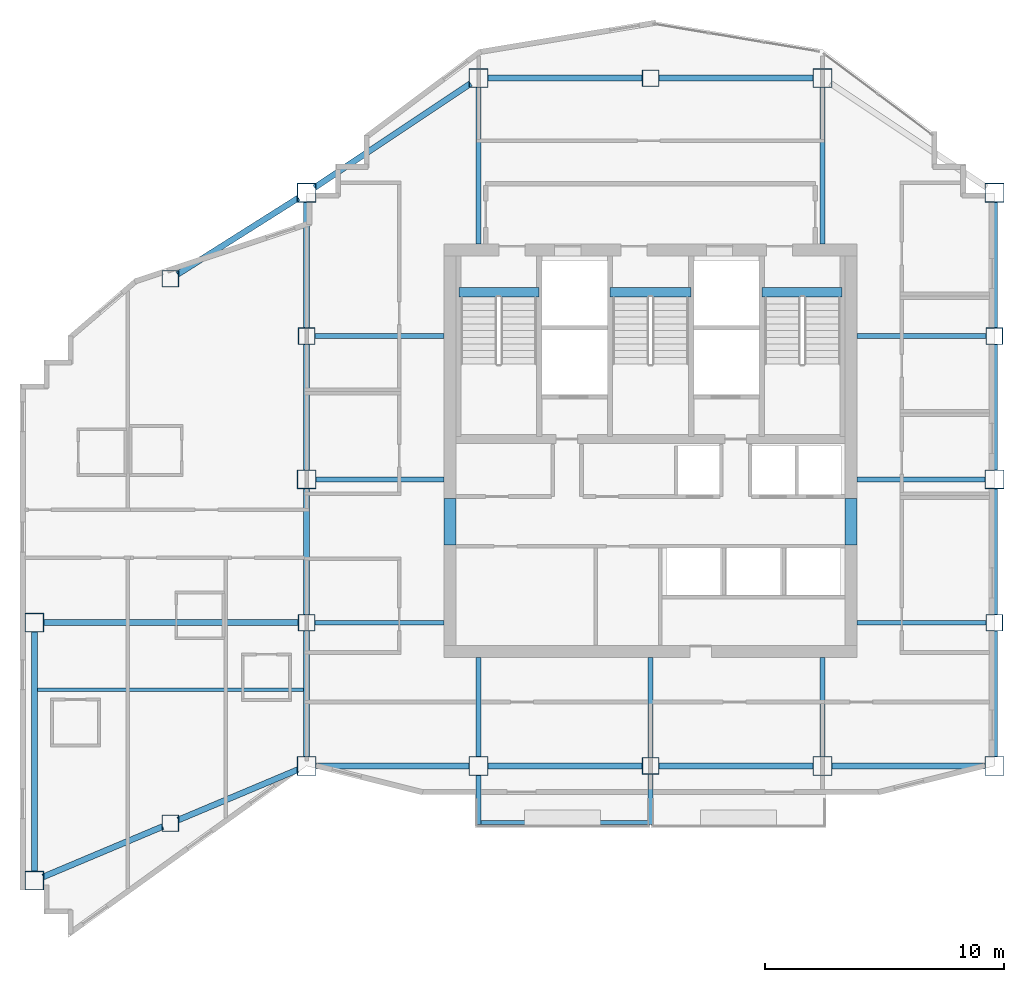
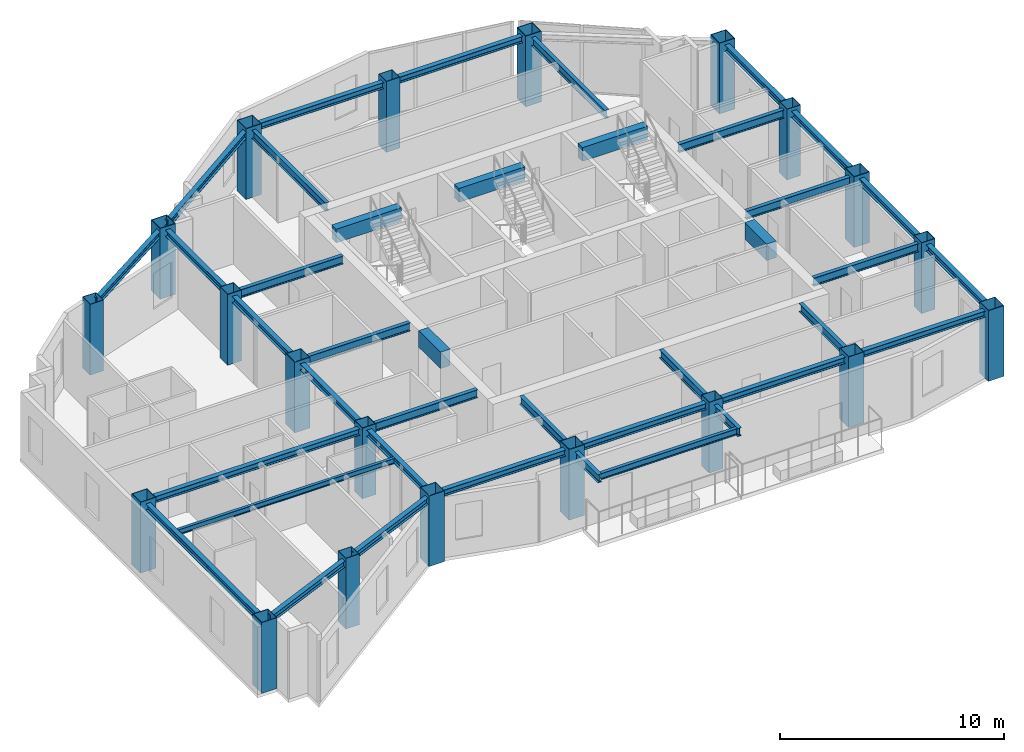
# One storey, part 1 of 9: 40 beams, 20 columns.
"""IFC4 building model written with IfcOpenShell, lengths in metres."""

from ifc_helpers import new_model, si_unit, direction, frame, origin, origin_2d, place, context, subcontext, project, spatial, rectangle, hollow_rectangle, i_section, extrude, material, material_profile, profile_set, type_object, element, save


model = new_model("IFC4")

# Units and contexts
model_context = context("Model", 3, precision=1e-05, world=origin(), true_north=direction((0.0, 1.0)))
body_context = subcontext(model_context, "Body", "Model", "MODEL_VIEW")
ifc_project = project(units=[si_unit("LENGTHUNIT", "METRE"), si_unit("AREAUNIT", "SQUARE_METRE"), si_unit("VOLUMEUNIT", "CUBIC_METRE"), si_unit("PLANEANGLEUNIT", "RADIAN"), si_unit("MASSUNIT", "GRAM", prefix="KILO")], contexts=[model_context])

# Site, building, storey
site_placement = place(None, origin())
site = spatial("IfcSite", under=ifc_project, at=site_placement, CompositionType="ELEMENT")
building_placement = place(site_placement, origin())
building = spatial("IfcBuilding", under=site, at=building_placement, Name="Haolan Belvedere Tower", CompositionType="ELEMENT")
storey_placement = place(building_placement, frame((0.0, 0.0, 262.14990234375)))
storey = spatial("IfcBuildingStorey", under=building, at=storey_placement, Name="L66", CompositionType="ELEMENT", Elevation=262.14990234375)

# Columns
ifc_material_1 = material(Name="Steel Q390GJC", Category="steel")
ifc_material_profile_1 = material_profile(ifc_material_1, hollow_rectangle(XDim=0.699951171875, YDim=0.699951171875, WallThickness=0.02587890625, at=origin_2d()), Name="Steel Q390GJC")
ifc_profile_set_1 = profile_set([ifc_material_profile_1], Name="Steel Q390GJC")
column_type_1 = type_object("IfcColumnType", Name="COL-BOX700x700x26", PredefinedType="COLUMN", material=ifc_profile_set_1)
for number, where, z_axis, x_axis, name in (
    (1, (24.0, 27.60009765625, 0.0), (0.0, 0.0, 1.0), (1.0, 0.0, 0.0), "L66 column TC-T3-W1 (BOX700x700x26)"),
    (2, (24.0, 39.60009765625, 0.0), (0.0, 0.0, 1.0), (1.0, 0.0, 0.0), "L66 column TC-T3-W2 (BOX700x700x26)"),
    (3, (52.800048828125, 27.60009765625, 0.0), (0.0, 0.0, 1.0), (1.0, 0.0, 0.0), "L66 column TC-T3-E1 (BOX700x700x26)"),
    (4, (52.800048828125, 39.60009765625, 0.0), (0.0, 0.0, 1.0), (1.0, 0.0, 0.0), "L66 column TC-T3-E2 (BOX700x700x26)"),
    (5, (38.39990234375, 21.60009765625, 0.0), (0.0, 0.0, 1.0), (1.0, 0.0, 0.0), "L66 column TC-T3-SM (BOX700x700x26)"),
    (6, (38.39990234375, 50.39990234375, 0.0), (0.0, 0.0, 1.0), (1.0, 0.0, 0.0), "L66 column TC-T3-NM (BOX700x700x26)"),
    (7, (18.300048828125, 19.199951171875, 0.0), (0.0, 0.0, 1.0), (1.0, 0.0, 0.0), "L66 column TC-T2-S1 (BOX700x700x26)"),
    (8, (18.300048828125, 42.0, 0.0), (0.0, 0.0, 1.0), (1.0, 0.0, 0.0), "L66 column TC-T2-N1 (BOX700x700x26)"),
):
    element("IfcColumn", number, at=place(storey_placement, frame(where, z_axis=z_axis, x_axis=x_axis)), inside=storey, type_object=column_type_1, Name=name, PredefinedType="COLUMN", context=body_context, shape_type="SweptSolid", body=[
        extrude(hollow_rectangle(XDim=0.699951171875, YDim=0.699951171875, WallThickness=0.02587890625, at=origin_2d()), origin(), (0.0, 0.0, 1.0), 3.85009765625),
    ])
ifc_material_profile_2 = material_profile(ifc_material_1, hollow_rectangle(XDim=0.800048828125, YDim=0.800048828125, WallThickness=0.030029296875, at=origin_2d()), Name="Steel Q390GJC")
ifc_profile_set_2 = profile_set([ifc_material_profile_2], Name="Steel Q390GJC")
column_type_2 = type_object("IfcColumnType", Name="COL-BOX800x800x30", PredefinedType="COLUMN", material=ifc_profile_set_2)
for number, where, z_axis, x_axis, name in (
    (9, (24.0, 21.60009765625, 0.0), (0.0, 0.0, 1.0), (1.0, 0.0, 0.0), "L66 column MC-T3-SW (BOX800x800x30)"),
    (10, (24.0, 33.60009765625, 0.0), (0.0, 0.0, 1.0), (1.0, 0.0, 0.0), "L66 column MC-T3-MW (BOX800x800x30)"),
    (11, (24.0, 45.60009765625, 0.0), (0.0, 0.0, 1.0), (1.0, 0.0, 0.0), "L66 column MC-T3-NW (BOX800x800x30)"),
    (12, (52.800048828125, 21.60009765625, 0.0), (0.0, 0.0, 1.0), (1.0, 0.0, 0.0), "L66 column MC-T3-SE (BOX800x800x30)"),
    (13, (52.800048828125, 33.60009765625, 0.0), (0.0, 0.0, 1.0), (1.0, 0.0, 0.0), "L66 column MC-T3-ME (BOX800x800x30)"),
    (14, (52.800048828125, 45.60009765625, 0.0), (0.0, 0.0, 1.0), (1.0, 0.0, 0.0), "L66 column MC-T3-NE (BOX800x800x30)"),
    (15, (31.199951171875, 21.60009765625, 0.0), (0.0, 0.0, 1.0), (1.0, 0.0, 0.0), "L66 column MC-T3-S1 (BOX800x800x30)"),
    (16, (45.60009765625, 21.60009765625, 0.0), (0.0, 0.0, 1.0), (1.0, 0.0, 0.0), "L66 column MC-T3-S2 (BOX800x800x30)"),
    (17, (31.199951171875, 50.39990234375, 0.0), (0.0, 0.0, 1.0), (1.0, 0.0, 0.0), "L66 column MC-T3-N1 (BOX800x800x30)"),
    (18, (45.60009765625, 50.39990234375, 0.0), (0.0, 0.0, 1.0), (1.0, 0.0, 0.0), "L66 column MC-T3-N2 (BOX800x800x30)"),
    (19, (12.60009765625, 16.800048828125, 0.0), (0.0, 0.0, 1.0), (1.0, 0.0, 0.0), "L66 column MC-T2-SW (BOX800x800x30)"),
    (20, (12.60009765625, 27.60009765625, 0.0), (0.0, 0.0, 1.0), (1.0, 0.0, 0.0), "L66 column MC-T2-MW (BOX800x800x30)"),
):
    element("IfcColumn", number, at=place(storey_placement, frame(where, z_axis=z_axis, x_axis=x_axis)), inside=storey, type_object=column_type_2, Name=name, PredefinedType="COLUMN", context=body_context, shape_type="SweptSolid", body=[
        extrude(hollow_rectangle(XDim=0.800048828125, YDim=0.800048828125, WallThickness=0.030029296875, at=origin_2d()), origin(), (0.0, 0.0, 1.0), 3.85009765625),
    ])

# Beams
ifc_material_2 = material(Name="Steel Q355B", Category="steel")
ifc_material_profile_3 = material_profile(ifc_material_2, i_section(OverallWidth=0.25, OverallDepth=0.340087890625, WebThickness=0.009033203125, FlangeThickness=0.013916015625, FilletRadius=0.02001953125, at=origin_2d()), Name="Steel Q355B")
ifc_profile_set_3 = profile_set([ifc_material_profile_3], Name="Steel Q355B")
beam_type_1 = type_object("IfcBeamType", Name="BM-HM340x250x9x14", PredefinedType="SPANDREL", material=ifc_profile_set_3)
for number, where, z_axis, x_axis, name in (
    (21, (24.0, 22.0, 3.5), (0.0, 1.0, 0.0), (-1.0, 0.0, 0.0), "L66 spandrel girder MC-T3-SW-TC-T3-W1"),
    (22, (24.0, 27.949951171875, 3.5), (0.0, 1.0, 0.0), (-1.0, 0.0, 0.0), "L66 spandrel girder TC-T3-W1-MC-T3-MW"),
    (23, (24.0, 34.0, 3.5), (0.0, 1.0, 0.0), (-1.0, 0.0, 0.0), "L66 spandrel girder MC-T3-MW-TC-T3-W2"),
    (24, (24.0, 39.949951171875, 3.5), (0.0, 1.0, 0.0), (-1.0, 0.0, 0.0), "L66 spandrel girder TC-T3-W2-MC-T3-NW"),
    (25, (52.800048828125, 22.0, 3.5), (0.0, 1.0, 0.0), (-1.0, 0.0, 0.0), "L66 spandrel girder MC-T3-SE-TC-T3-E1"),
    (26, (52.800048828125, 27.949951171875, 3.5), (0.0, 1.0, 0.0), (-1.0, 0.0, 0.0), "L66 spandrel girder TC-T3-E1-MC-T3-ME"),
    (27, (52.800048828125, 34.0, 3.5), (0.0, 1.0, 0.0), (-1.0, 0.0, 0.0), "L66 spandrel girder MC-T3-ME-TC-T3-E2"),
    (28, (52.800048828125, 39.949951171875, 3.5), (0.0, 1.0, 0.0), (-1.0, 0.0, 0.0), "L66 spandrel girder TC-T3-E2-MC-T3-NE"),
):
    element("IfcBeam", number, at=place(storey_placement, frame(where, z_axis=z_axis, x_axis=x_axis)), inside=storey, type_object=beam_type_1, Name=name, PredefinedType="SPANDREL", context=body_context, shape_type="SweptSolid", body=[
        extrude(i_section(OverallWidth=0.25, OverallDepth=0.340087890625, WebThickness=0.009033203125, FlangeThickness=0.013916015625, FilletRadius=0.02001953125, at=origin_2d()), origin(), (0.0, 0.0, 1.0), 5.25),
    ])
beam_1_placement = place(storey_placement, frame((24.39990234375, 21.60009765625, 3.5), z_axis=(1.0, 0.0, 0.0), x_axis=(0.0, 1.0, 0.0)))
element("IfcBeam", 29, at=beam_1_placement, inside=storey, type_object=beam_type_1, Name="L66 spandrel girder MC-T3-SW-MC-T3-S1", PredefinedType="SPANDREL", context=body_context, shape_type="SweptSolid", body=[
    extrude(i_section(OverallWidth=0.25, OverallDepth=0.340087890625, WebThickness=0.009033203125, FlangeThickness=0.013916015625, FilletRadius=0.02001953125, at=origin_2d()), origin(), (0.0, 0.0, 1.0), 6.400146484375),
])
for number, where, z_axis, x_axis, name in (
    (30, (31.60009765625, 21.60009765625, 3.5), (1.0, 0.0, 0.0), (0.0, 1.0, 0.0), "L66 spandrel girder MC-T3-S1-TC-T3-SM"),
    (31, (38.75, 21.60009765625, 3.5), (1.0, 0.0, 0.0), (0.0, 1.0, 0.0), "L66 spandrel girder TC-T3-SM-MC-T3-S2"),
):
    element("IfcBeam", number, at=place(storey_placement, frame(where, z_axis=z_axis, x_axis=x_axis)), inside=storey, type_object=beam_type_1, Name=name, PredefinedType="SPANDREL", context=body_context, shape_type="SweptSolid", body=[
        extrude(i_section(OverallWidth=0.25, OverallDepth=0.340087890625, WebThickness=0.009033203125, FlangeThickness=0.013916015625, FilletRadius=0.02001953125, at=origin_2d()), origin(), (0.0, 0.0, 1.0), 6.449951171875),
    ])
beam_2_placement = place(storey_placement, frame((46.0, 21.60009765625, 3.5), z_axis=(1.0, 0.0, 0.0), x_axis=(0.0, 1.0, 0.0)))
element("IfcBeam", 32, at=beam_2_placement, inside=storey, type_object=beam_type_1, Name="L66 spandrel girder MC-T3-S2-MC-T3-SE", PredefinedType="SPANDREL", context=body_context, shape_type="SweptSolid", body=[
    extrude(i_section(OverallWidth=0.25, OverallDepth=0.340087890625, WebThickness=0.009033203125, FlangeThickness=0.013916015625, FilletRadius=0.02001953125, at=origin_2d()), origin(), (0.0, 0.0, 1.0), 6.39990234375),
])
beam_3_placement = place(storey_placement, frame((24.332763671875, 45.82177734375, 3.5), z_axis=(0.832040729016, 0.55471454394, 0.0), x_axis=(-0.55471454394, 0.832040729016, 0.0)))
element("IfcBeam", 33, at=beam_3_placement, inside=storey, type_object=beam_type_1, Name="L66 spandrel girder MC-T3-NW-MC-T3-N1", PredefinedType="SPANDREL", context=body_context, shape_type="SweptSolid", body=[
    extrude(i_section(OverallWidth=0.25, OverallDepth=0.340087890625, WebThickness=0.009033203125, FlangeThickness=0.013916015625, FilletRadius=0.02001953125, at=origin_2d()), origin(), (0.0, 0.0, 1.0), 7.853515625),
])
for number, where, z_axis, x_axis, name in (
    (34, (31.60009765625, 50.39990234375, 3.5), (1.0, 0.0, 0.0), (0.0, 1.0, 0.0), "L66 spandrel girder MC-T3-N1-TC-T3-NM"),
    (35, (38.75, 50.39990234375, 3.5), (1.0, 0.0, 0.0), (0.0, 1.0, 0.0), "L66 spandrel girder TC-T3-NM-MC-T3-N2"),
):
    element("IfcBeam", number, at=place(storey_placement, frame(where, z_axis=z_axis, x_axis=x_axis)), inside=storey, type_object=beam_type_1, Name=name, PredefinedType="SPANDREL", context=body_context, shape_type="SweptSolid", body=[
        extrude(i_section(OverallWidth=0.25, OverallDepth=0.340087890625, WebThickness=0.009033203125, FlangeThickness=0.013916015625, FilletRadius=0.02001953125, at=origin_2d()), origin(), (0.0, 0.0, 1.0), 6.449951171875),
    ])
beam_4_placement = place(storey_placement, frame((12.60009765625, 17.199951171875, 3.5), z_axis=(0.0, 1.0, 0.0), x_axis=(-1.0, 0.0, 0.0)))
element("IfcBeam", 36, at=beam_4_placement, inside=storey, type_object=beam_type_1, Name="L66 spandrel girder MC-T2-SW-MC-T2-MW", PredefinedType="SPANDREL", context=body_context, shape_type="SweptSolid", body=[
    extrude(i_section(OverallWidth=0.25, OverallDepth=0.340087890625, WebThickness=0.009033203125, FlangeThickness=0.013916015625, FilletRadius=0.02001953125, at=origin_2d()), origin(), (0.0, 0.0, 1.0), 10.0),
])
for number, where, z_axis, x_axis, name in (
    (37, (12.96875, 16.955322265625, 3.5), (0.921640448717, 0.388044950088, 0.0), (-0.388044950088, 0.921640448717, 0.0), "L66 spandrel girder MC-T2-SW-TC-T2-S1"),
    (38, (18.62255859375, 19.3359375, 3.5), (0.921640448717, 0.388044950088, 0.0), (-0.388044950088, 0.921640448717, 0.0), "L66 spandrel girder TC-T2-S1-MC-T3-SW"),
):
    element("IfcBeam", number, at=place(storey_placement, frame(where, z_axis=z_axis, x_axis=x_axis)), inside=storey, type_object=beam_type_1, Name=name, PredefinedType="SPANDREL", context=body_context, shape_type="SweptSolid", body=[
        extrude(i_section(OverallWidth=0.25, OverallDepth=0.340087890625, WebThickness=0.009033203125, FlangeThickness=0.013916015625, FilletRadius=0.02001953125, at=origin_2d()), origin(), (0.0, 0.0, 1.0), 5.4345703125),
    ])
beam_5_placement = place(storey_placement, frame((18.595947265625, 42.18701171875, 3.5), z_axis=(0.845493744187, 0.533985326148, 0.0), x_axis=(-0.533985326148, 0.845493744187, 0.0)))
element("IfcBeam", 39, at=beam_5_placement, inside=storey, type_object=beam_type_1, Name="L66 spandrel girder TC-T2-N1-MC-T3-NW", PredefinedType="SPANDREL", context=body_context, shape_type="SweptSolid", body=[
    extrude(i_section(OverallWidth=0.25, OverallDepth=0.340087890625, WebThickness=0.009033203125, FlangeThickness=0.013916015625, FilletRadius=0.02001953125, at=origin_2d()), origin(), (0.0, 0.0, 1.0), 5.99169921875),
])
beam_6_placement = place(storey_placement, frame((13.0, 27.60009765625, 3.5), z_axis=(1.0, 0.0, 0.0), x_axis=(0.0, 1.0, 0.0)))
element("IfcBeam", 40, at=beam_6_placement, inside=storey, type_object=beam_type_1, Name="L66 spandrel girder MC-T2-MW-TC-T3-W1", PredefinedType="SPANDREL", context=body_context, shape_type="SweptSolid", body=[
    extrude(i_section(OverallWidth=0.25, OverallDepth=0.340087890625, WebThickness=0.009033203125, FlangeThickness=0.013916015625, FilletRadius=0.02001953125, at=origin_2d()), origin(), (0.0, 0.0, 1.0), 10.64990234375),
])
ifc_material_profile_4 = material_profile(ifc_material_2, i_section(OverallWidth=0.14990234375, OverallDepth=0.300048828125, WebThickness=0.006591796875, FlangeThickness=0.009033203125, FilletRadius=0.012939453125, at=origin_2d()), Name="Steel Q355B")
ifc_profile_set_4 = profile_set([ifc_material_profile_4], Name="Steel Q355B")
beam_type_2 = type_object("IfcBeamType", Name="BM-HN300x150x6.5x9", PredefinedType="JOIST", material=ifc_profile_set_4)
beam_7_placement = place(storey_placement, frame((12.72509765625, 24.800048828125, 3.52001953125), z_axis=(1.0, 0.0, 0.0), x_axis=(0.0, 1.0, 0.0)))
element("IfcBeam", 41, at=beam_7_placement, inside=storey, type_object=beam_type_2, Name="L66 west wing floor joist 1", PredefinedType="JOIST", context=body_context, shape_type="SweptSolid", body=[
    extrude(i_section(OverallWidth=0.14990234375, OverallDepth=0.300048828125, WebThickness=0.006591796875, FlangeThickness=0.009033203125, FilletRadius=0.012939453125, at=origin_2d()), origin(), (0.0, 0.0, 1.0), 11.14990234375),
])
ifc_material_profile_5 = material_profile(ifc_material_2, i_section(OverallWidth=0.175048828125, OverallDepth=0.35009765625, WebThickness=0.007080078125, FlangeThickness=0.010986328125, FilletRadius=0.012939453125, at=origin_2d()), Name="Steel Q355B")
ifc_profile_set_5 = profile_set([ifc_material_profile_5], Name="Steel Q355B")
beam_type_3 = type_object("IfcBeamType", Name="BM-HN350x175x7x11", PredefinedType="JOIST", material=ifc_profile_set_5)
beam_8_placement = place(storey_placement, frame((31.300048828125, 19.239990234375, 3.445068359375), z_axis=(1.0, 0.0, 0.0), x_axis=(0.0, 1.0, 0.0)))
element("IfcBeam", 42, at=beam_8_placement, inside=storey, type_object=beam_type_3, Name="L67 tree-balcony front trimmer beam 1", PredefinedType="BEAM", context=body_context, shape_type="SweptSolid", body=[
    extrude(i_section(OverallWidth=0.175048828125, OverallDepth=0.35009765625, WebThickness=0.007080078125, FlangeThickness=0.010986328125, FilletRadius=0.012939453125, at=origin_2d()), origin(), (0.0, 0.0, 1.0), 7.0),
])
ifc_material_profile_6 = material_profile(ifc_material_2, i_section(OverallWidth=0.199951171875, OverallDepth=0.449951171875, WebThickness=0.009033203125, FlangeThickness=0.013916015625, FilletRadius=0.01611328125, at=origin_2d()), Name="Steel Q355B")
ifc_profile_set_6 = profile_set([ifc_material_profile_6], Name="Steel Q355B")
beam_type_4 = type_object("IfcBeamType", Name="BM-HN450x200x9x14", PredefinedType="BEAM", material=ifc_profile_set_6)
beam_9_placement = place(storey_placement, frame((24.39990234375, 33.60009765625, 3.445068359375), z_axis=(1.0, 0.0, 0.0), x_axis=(0.0, 1.0, 0.0)))
element("IfcBeam", 43, at=beam_9_placement, inside=storey, type_object=beam_type_4, Name="L66 core tie beam from MC-T3-MW", PredefinedType="BEAM", context=body_context, shape_type="SweptSolid", body=[
    extrude(i_section(OverallWidth=0.199951171875, OverallDepth=0.449951171875, WebThickness=0.009033203125, FlangeThickness=0.013916015625, FilletRadius=0.01611328125, at=origin_2d()), origin(), (0.0, 0.0, 1.0), 5.35009765625),
])
for number, where, z_axis, x_axis, name in (
    (44, (24.35009765625, 27.60009765625, 3.445068359375), (1.0, 0.0, 0.0), (0.0, 1.0, 0.0), "L66 core tie beam from TC-T3-W1"),
    (45, (24.35009765625, 39.60009765625, 3.445068359375), (1.0, 0.0, 0.0), (0.0, 1.0, 0.0), "L66 core tie beam from TC-T3-W2"),
):
    element("IfcBeam", number, at=place(storey_placement, frame(where, z_axis=z_axis, x_axis=x_axis)), inside=storey, type_object=beam_type_4, Name=name, PredefinedType="BEAM", context=body_context, shape_type="SweptSolid", body=[
        extrude(i_section(OverallWidth=0.199951171875, OverallDepth=0.449951171875, WebThickness=0.009033203125, FlangeThickness=0.013916015625, FilletRadius=0.01611328125, at=origin_2d()), origin(), (0.0, 0.0, 1.0), 5.39990234375),
    ])
beam_10_placement = place(storey_placement, frame((52.39990234375, 33.60009765625, 3.445068359375), z_axis=(-1.0, 0.0, 0.0), x_axis=(0.0, -1.0, 0.0)))
element("IfcBeam", 46, at=beam_10_placement, inside=storey, type_object=beam_type_4, Name="L66 core tie beam from MC-T3-ME", PredefinedType="BEAM", context=body_context, shape_type="SweptSolid", body=[
    extrude(i_section(OverallWidth=0.199951171875, OverallDepth=0.449951171875, WebThickness=0.009033203125, FlangeThickness=0.013916015625, FilletRadius=0.01611328125, at=origin_2d()), origin(), (0.0, 0.0, 1.0), 5.349853515625),
])
for number, where, z_axis, x_axis, name in (
    (47, (52.449951171875, 27.60009765625, 3.445068359375), (-1.0, 0.0, 0.0), (0.0, -1.0, 0.0), "L66 core tie beam from TC-T3-E1"),
    (48, (52.449951171875, 39.60009765625, 3.445068359375), (-1.0, 0.0, 0.0), (0.0, -1.0, 0.0), "L66 core tie beam from TC-T3-E2"),
):
    element("IfcBeam", number, at=place(storey_placement, frame(where, z_axis=z_axis, x_axis=x_axis)), inside=storey, type_object=beam_type_4, Name=name, PredefinedType="BEAM", context=body_context, shape_type="SweptSolid", body=[
        extrude(i_section(OverallWidth=0.199951171875, OverallDepth=0.449951171875, WebThickness=0.009033203125, FlangeThickness=0.013916015625, FilletRadius=0.01611328125, at=origin_2d()), origin(), (0.0, 0.0, 1.0), 5.39990234375),
    ])
beam_11_placement = place(storey_placement, frame((31.199951171875, 22.0, 3.445068359375), z_axis=(0.0, 1.0, 0.0), x_axis=(-1.0, 0.0, 0.0)))
element("IfcBeam", 49, at=beam_11_placement, inside=storey, type_object=beam_type_4, Name="L66 core tie beam from MC-T3-S1", PredefinedType="BEAM", context=body_context, shape_type="SweptSolid", body=[
    extrude(i_section(OverallWidth=0.199951171875, OverallDepth=0.449951171875, WebThickness=0.009033203125, FlangeThickness=0.013916015625, FilletRadius=0.01611328125, at=origin_2d()), origin(), (0.0, 0.0, 1.0), 4.14990234375),
])
beam_12_placement = place(storey_placement, frame((38.39990234375, 21.949951171875, 3.445068359375), z_axis=(0.0, 1.0, 0.0), x_axis=(-1.0, 0.0, 0.0)))
element("IfcBeam", 50, at=beam_12_placement, inside=storey, type_object=beam_type_4, Name="L66 core tie beam from TC-T3-SM", PredefinedType="BEAM", context=body_context, shape_type="SweptSolid", body=[
    extrude(i_section(OverallWidth=0.199951171875, OverallDepth=0.449951171875, WebThickness=0.009033203125, FlangeThickness=0.013916015625, FilletRadius=0.01611328125, at=origin_2d()), origin(), (0.0, 0.0, 1.0), 4.199951171875),
])
beam_13_placement = place(storey_placement, frame((45.60009765625, 22.0, 3.445068359375), z_axis=(0.0, 1.0, 0.0), x_axis=(-1.0, 0.0, 0.0)))
element("IfcBeam", 51, at=beam_13_placement, inside=storey, type_object=beam_type_4, Name="L66 core tie beam from MC-T3-S2", PredefinedType="BEAM", context=body_context, shape_type="SweptSolid", body=[
    extrude(i_section(OverallWidth=0.199951171875, OverallDepth=0.449951171875, WebThickness=0.009033203125, FlangeThickness=0.013916015625, FilletRadius=0.01611328125, at=origin_2d()), origin(), (0.0, 0.0, 1.0), 4.14990234375),
])
for number, where, z_axis, x_axis, name in (
    (52, (31.199951171875, 50.0, 3.445068359375), (0.0, -1.0, 0.0), (1.0, 0.0, 0.0), "L66 core tie beam from MC-T3-N1"),
    (53, (45.60009765625, 50.0, 3.445068359375), (0.0, -1.0, 0.0), (1.0, 0.0, 0.0), "L66 core tie beam from MC-T3-N2"),
):
    element("IfcBeam", number, at=place(storey_placement, frame(where, z_axis=z_axis, x_axis=x_axis)), inside=storey, type_object=beam_type_4, Name=name, PredefinedType="BEAM", context=body_context, shape_type="SweptSolid", body=[
        extrude(i_section(OverallWidth=0.199951171875, OverallDepth=0.449951171875, WebThickness=0.009033203125, FlangeThickness=0.013916015625, FilletRadius=0.01611328125, at=origin_2d()), origin(), (0.0, 0.0, 1.0), 6.550048828125),
    ])
beam_14_placement = place(storey_placement, frame((31.199951171875, 21.199951171875, 3.39501953125), z_axis=(0.0, -1.0, 0.0), x_axis=(1.0, 0.0, 0.0)))
element("IfcBeam", 54, at=beam_14_placement, inside=storey, type_object=beam_type_4, Name="L67 tree-balcony column cantilever MC-T3-S1", PredefinedType="BEAM", context=body_context, shape_type="SweptSolid", body=[
    extrude(i_section(OverallWidth=0.199951171875, OverallDepth=0.449951171875, WebThickness=0.009033203125, FlangeThickness=0.013916015625, FilletRadius=0.01611328125, at=origin_2d()), origin(), (0.0, 0.0, 1.0), 2.06005859375),
])
beam_15_placement = place(storey_placement, frame((38.39990234375, 21.25, 3.39501953125), z_axis=(0.0, -1.0, 0.0), x_axis=(1.0, 0.0, 0.0)))
element("IfcBeam", 55, at=beam_15_placement, inside=storey, type_object=beam_type_4, Name="L67 tree-balcony column cantilever TC-T3-SM", PredefinedType="BEAM", context=body_context, shape_type="SweptSolid", body=[
    extrude(i_section(OverallWidth=0.199951171875, OverallDepth=0.449951171875, WebThickness=0.009033203125, FlangeThickness=0.013916015625, FilletRadius=0.01611328125, at=origin_2d()), origin(), (0.0, 0.0, 1.0), 2.110107421875),
])
ifc_material_3 = material(Name="Concrete C50/60", Category="concrete")
ifc_material_profile_7 = material_profile(ifc_material_3, rectangle(XDim=0.39990234375, YDim=0.75, at=origin_2d()), Name="Concrete C50/60")
ifc_profile_set_7 = profile_set([ifc_material_profile_7], Name="Concrete C50/60")
beam_type_5 = type_object("IfcBeamType", Name="BM-RC400x750", PredefinedType="T_BEAM", material=ifc_profile_set_7)
beam_16_placement = place(storey_placement, frame((30.3798828125, 41.429931640625, 3.47509765625), z_axis=(1.0, 0.0, 0.0), x_axis=(0.0, 1.0, 0.0)))
element("IfcBeam", 56, at=beam_16_placement, inside=storey, type_object=beam_type_5, Name="L67 stair ST1 RC header trimmer beam", PredefinedType="BEAM", context=body_context, shape_type="SweptSolid", body=[
    extrude(rectangle(XDim=0.39990234375, YDim=0.75, at=origin_2d()), origin(), (0.0, 0.0, 1.0), 3.360107421875),
])
beam_17_placement = place(storey_placement, frame((36.699951171875, 41.429931640625, 3.47509765625), z_axis=(1.0, 0.0, 0.0), x_axis=(0.0, 1.0, 0.0)))
element("IfcBeam", 57, at=beam_17_placement, inside=storey, type_object=beam_type_5, Name="L67 stair ST3 RC header trimmer beam", PredefinedType="BEAM", context=body_context, shape_type="SweptSolid", body=[
    extrude(rectangle(XDim=0.39990234375, YDim=0.75, at=origin_2d()), origin(), (0.0, 0.0, 1.0), 3.400146484375),
])
beam_18_placement = place(storey_placement, frame((43.06005859375, 41.429931640625, 3.47509765625), z_axis=(1.0, 0.0, 0.0), x_axis=(0.0, 1.0, 0.0)))
element("IfcBeam", 58, at=beam_18_placement, inside=storey, type_object=beam_type_5, Name="L67 stair ST2 RC header trimmer beam", PredefinedType="BEAM", context=body_context, shape_type="SweptSolid", body=[
    extrude(rectangle(XDim=0.39990234375, YDim=0.75, at=origin_2d()), origin(), (0.0, 0.0, 1.0), 3.35986328125),
])
ifc_material_4 = material(Name="Concrete C60/75", Category="concrete")
ifc_material_profile_8 = material_profile(ifc_material_4, rectangle(XDim=0.5, YDim=0.89990234375, at=origin_2d()), Name="Concrete C60/75")
ifc_profile_set_8 = profile_set([ifc_material_profile_8], Name="Concrete C60/75")
beam_type_6 = type_object("IfcBeamType", Name="BM-RC500x900", PredefinedType="LINTEL", material=ifc_profile_set_8)
for number, where, z_axis, x_axis, name in (
    (59, (30.0, 30.85009765625, 3.22021484375), (0.0, 1.0, 0.0), (-1.0, 0.0, 0.0), "L66 west core coupling beam CB-01"),
    (60, (46.800048828125, 30.85009765625, 3.22021484375), (0.0, 1.0, 0.0), (-1.0, 0.0, 0.0), "L66 east core coupling beam CB-01"),
):
    element("IfcBeam", number, at=place(storey_placement, frame(where, z_axis=z_axis, x_axis=x_axis)), inside=storey, type_object=beam_type_6, Name=name, PredefinedType="LINTEL", context=body_context, shape_type="SweptSolid", body=[
        extrude(rectangle(XDim=0.5, YDim=0.89990234375, at=origin_2d()), origin(), (0.0, 0.0, 1.0), 1.949951171875),
    ])

save(model, "model.ifc")
